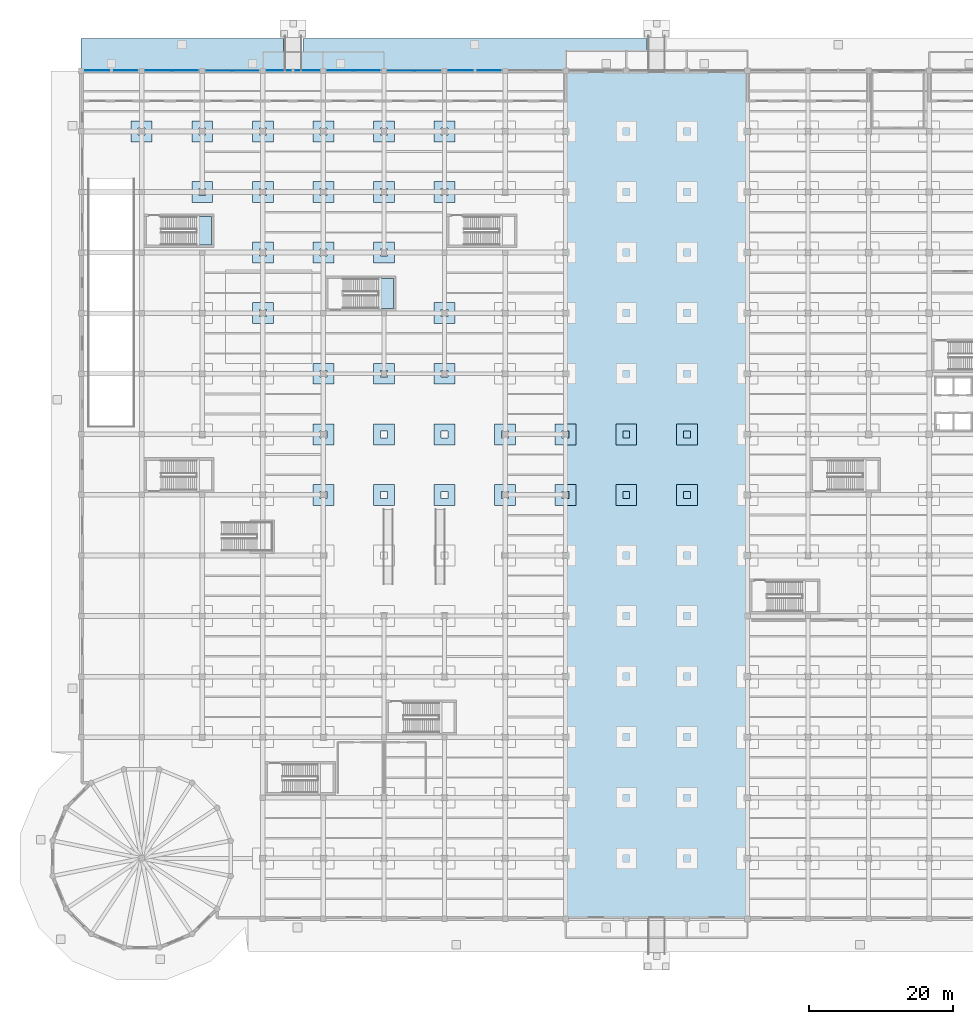
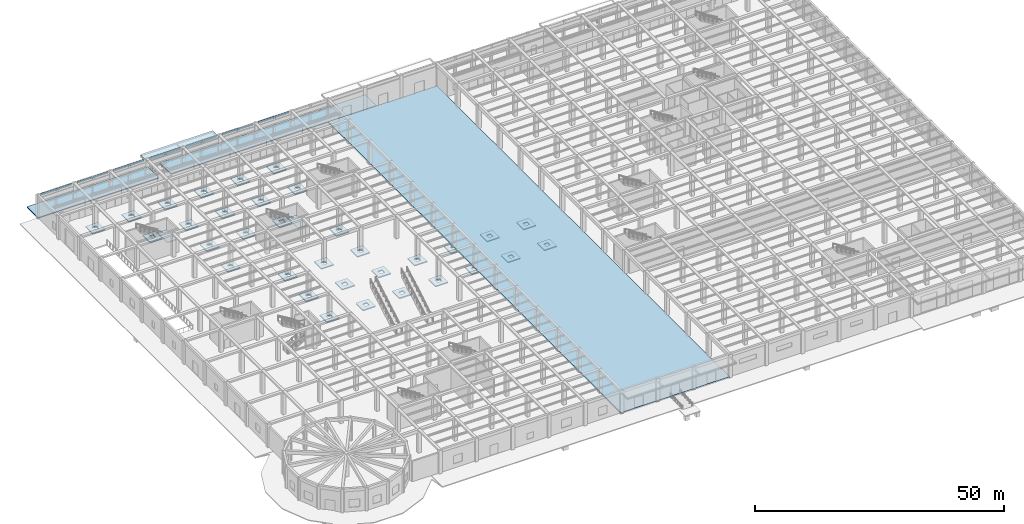
# One storey, part 18 of 43: 39 slabs, 7 plates, 3 elements without a shape of their own.
"""IFC4 building model written with IfcOpenShell, lengths in metres."""

from ifc_helpers import new_model, si_unit, direction, frame, origin, origin_2d, place, context, subcontext, project, spatial, polyline, rectangle, outline, extrude, material, layer, layer_set, type_object, element, aggregate, save


model = new_model("IFC4")

# Units and contexts
model_context = context("Model", 3, precision=1e-05, world=origin(), true_north=direction((0.0, 1.0)))
body_context = subcontext(model_context, "Body", "Model", "MODEL_VIEW")
ifc_project = project(units=[si_unit("LENGTHUNIT", "METRE"), si_unit("AREAUNIT", "SQUARE_METRE"), si_unit("VOLUMEUNIT", "CUBIC_METRE"), si_unit("PLANEANGLEUNIT", "RADIAN"), si_unit("MASSUNIT", "GRAM", prefix="KILO")], contexts=[model_context])

# Site, building, storey
site_placement = place(None, origin())
site = spatial("IfcSite", under=ifc_project, at=site_placement, CompositionType="ELEMENT")
building_placement = place(site_placement, origin())
building = spatial("IfcBuilding", under=site, at=building_placement, Name="Almacenes y Pasaje Nevantli", CompositionType="ELEMENT")
storey_placement = place(building_placement, origin())
storey = spatial("IfcBuildingStorey", under=building, at=storey_placement, Name="L01", CompositionType="ELEMENT", Elevation=0.0)

# Plates
ifc_material_1 = material(Name="Powder-Coated Aluminium Portal Fascia Plate", Category="aluminium")
ifc_layer_1 = layer(ifc_material_1, 0.01611328125)
ifc_layer_set_1 = layer_set([ifc_layer_1], Name="Powder-Coated Aluminium Portal Fascia Plate")
plate_type_1 = type_object("IfcPlateType", Name="PL-FAS-16", PredefinedType="SHEET", material=ifc_layer_set_1)
for number, where, z_axis, x_axis, name in (
    (1, (12.60009765625, 117.639892578125, 5.1748046875), (0.0, 0.0, 1.0), (1.0, 0.0, 0.0), "Boulevard Portales Architectural Frieze Plate #2"),
    (2, (37.800048828125, 117.639892578125, 5.1748046875), (0.0, 0.0, 1.0), (1.0, 0.0, 0.0), "Boulevard Portales Architectural Frieze Plate #5"),
):
    element("IfcPlate", number, at=place(storey_placement, frame(where, z_axis=z_axis, x_axis=x_axis)), inside=storey, type_object=plate_type_1, Name=name, PredefinedType="SHEET", context=body_context, shape_type="SweptSolid", body=[
        extrude(rectangle(XDim=7.199951171875, YDim=0.01611328125, at=origin_2d()), origin(), (0.0, 0.0, 1.0), 0.550048828125),
    ])
ifc_material_2 = material(Name="Brushed Brass Architectural Frieze Plate", Category="metal")
ifc_layer_2 = layer(ifc_material_2, 0.008056640625)
ifc_layer_set_2 = layer_set([ifc_layer_2], Name="Brushed Brass Architectural Frieze Plate")
plate_type_2 = type_object("IfcPlateType", Name="PL-SGN-08", PredefinedType="SHEET", material=ifc_layer_set_2)
for number, where, z_axis, x_axis, name in (
    (3, (21.0, 117.639892578125, 5.1748046875), (0.0, 0.0, 1.0), (1.0, 0.0, 0.0), "Boulevard Portales Architectural Frieze Plate #3"),
    (4, (46.199951171875, 117.639892578125, 5.1748046875), (0.0, 0.0, 1.0), (1.0, 0.0, 0.0), "Boulevard Portales Architectural Frieze Plate #6"),
):
    element("IfcPlate", number, at=place(storey_placement, frame(where, z_axis=z_axis, x_axis=x_axis)), inside=storey, type_object=plate_type_2, Name=name, PredefinedType="SHEET", context=body_context, shape_type="SweptSolid", body=[
        extrude(rectangle(XDim=7.199951171875, YDim=0.008056640625, at=origin_2d()), origin(), (0.0, 0.0, 1.0), 0.550048828125),
    ])
ifc_material_3 = material(Name="Insulated Bronze Aluminium Spandrel Panel", Category="aluminium")
ifc_layer_3 = layer(ifc_material_3, 0.054931640625)
ifc_layer_set_3 = layer_set([ifc_layer_3], Name="Insulated Bronze Aluminium Spandrel Panel")
plate_type_3 = type_object("IfcPlateType", Name="PL-SPN-55", PredefinedType="SHEET", material=ifc_layer_set_3)
for number, where, z_axis, x_axis, name in (
    (5, (4.199951171875, 117.639892578125, 5.1748046875), (0.0, 0.0, 1.0), (1.0, 0.0, 0.0), "Boulevard Portales Architectural Frieze Plate #1"),
    (6, (29.39990234375, 117.639892578125, 5.1748046875), (0.0, 0.0, 1.0), (1.0, 0.0, 0.0), "Boulevard Portales Architectural Frieze Plate #4"),
    (7, (54.60009765625, 117.639892578125, 5.1748046875), (0.0, 0.0, 1.0), (1.0, 0.0, 0.0), "Boulevard Portales Architectural Frieze Plate #7"),
):
    element("IfcPlate", number, at=place(storey_placement, frame(where, z_axis=z_axis, x_axis=x_axis)), inside=storey, type_object=plate_type_3, Name=name, PredefinedType="SHEET", context=body_context, shape_type="SweptSolid", body=[
        extrude(rectangle(XDim=7.199951171875, YDim=0.054931640625, at=origin_2d()), origin(), (0.0, 0.0, 1.0), 0.550048828125),
    ])

# Roof, slab
ifc_material_4 = material(Name="Concrete C35/45", Category="concrete")
roof_type = type_object("IfcRoofType", Name="ROOF-FLAT-DECK", PredefinedType="FLAT_ROOF", material=ifc_material_4)
roof_placement = place(storey_placement, origin())
roof = element("IfcRoof", 8, at=roof_placement, inside=storey, type_object=roof_type, Name="L01 Boulevard and Dock Canopy Roof cnp-north-west", PredefinedType="FLAT_ROOF")
ifc_material_5 = material(Name="Architectural Precast Concrete C35/45", Category="concrete")
ifc_layer_4 = layer(ifc_material_5, 0.139892578125)
ifc_layer_set_4 = layer_set([ifc_layer_4], Name="Architectural Precast Concrete C35/45")
slab_type_1 = type_object("IfcSlabType", Name="SLB-CANOPY-140", PredefinedType="ROOF", material=ifc_layer_set_4)
slab_1_placement = place(storey_placement, frame((0.0, 0.0, 4.9599609375)))
slab_1 = element("IfcSlab", 9, at=slab_1_placement, type_object=slab_type_1, Name="Architectural Precast Canopy Deck cnp-north-west", PredefinedType="ROOF", context=body_context, shape_type="SweptSolid", body=[
    extrude(outline(polyline([(25.199951171875, 117.60009765625), (42.0, 117.60009765625), (42.0, 120.199951171875), (25.199951171875, 120.199951171875), (25.199951171875, 117.60009765625)])), origin(), (0.0, 0.0, 1.0), 0.14013671875),
])
aggregate(roof, [slab_1])

# Slabs
ifc_material_6 = material(Name="Concrete C35/45", Category="concrete")
ifc_layer_5 = layer(ifc_material_6, 0.25)
ifc_layer_set_5 = layer_set([ifc_layer_5], Name="Concrete C35/45")
slab_type_2 = type_object("IfcSlabType", Name="SLB-DP-250", PredefinedType="USERDEFINED", material=ifc_layer_set_5)
slab_2_placement = place(storey_placement, frame((0.0, 0.0, -0.570068359375)))
element("IfcSlab", 10, at=slab_2_placement, inside=storey, type_object=slab_type_2, Name="L01 Punching-Shear Drop Panel DP-02 #201", ObjectType="DROP PANEL", PredefinedType="USERDEFINED", context=body_context, shape_type="SweptSolid", body=[
    extrude(outline(polyline([(6.949951171875, 107.75), (9.85009765625, 107.75), (9.85009765625, 110.64990234375), (6.949951171875, 110.64990234375), (6.949951171875, 107.75)]), holes=[polyline([(7.919921875, 108.719970703125), (8.8798828125, 108.719970703125), (8.8798828125, 109.679931640625), (7.919921875, 109.679931640625), (7.919921875, 108.719970703125)])]), origin(), (0.0, 0.0, 1.0), 0.25),
])
slab_3_placement = place(storey_placement, frame((0.0, 0.0, -0.570068359375)))
element("IfcSlab", 11, at=slab_3_placement, inside=storey, type_object=slab_type_2, Name="L01 Punching-Shear Drop Panel DP-02 #208", ObjectType="DROP PANEL", PredefinedType="USERDEFINED", context=body_context, shape_type="SweptSolid", body=[
    extrude(outline(polyline([(15.35009765625, 99.35009765625), (18.25, 99.35009765625), (18.25, 102.25), (15.35009765625, 102.25), (15.35009765625, 99.35009765625)]), holes=[polyline([(16.320068359375, 100.320068359375), (17.280029296875, 100.320068359375), (17.280029296875, 101.280029296875), (16.320068359375, 101.280029296875), (16.320068359375, 100.320068359375)])]), origin(), (0.0, 0.0, 1.0), 0.25),
])
slab_4_placement = place(storey_placement, frame((0.0, 0.0, -0.570068359375)))
element("IfcSlab", 12, at=slab_4_placement, inside=storey, type_object=slab_type_2, Name="L01 Punching-Shear Drop Panel DP-02 #209", ObjectType="DROP PANEL", PredefinedType="USERDEFINED", context=body_context, shape_type="SweptSolid", body=[
    extrude(outline(polyline([(15.35009765625, 107.75), (18.25, 107.75), (18.25, 110.64990234375), (15.35009765625, 110.64990234375), (15.35009765625, 107.75)]), holes=[polyline([(16.320068359375, 108.719970703125), (17.280029296875, 108.719970703125), (17.280029296875, 109.679931640625), (16.320068359375, 109.679931640625), (16.320068359375, 108.719970703125)])]), origin(), (0.0, 0.0, 1.0), 0.25),
])
slab_5_placement = place(storey_placement, frame((0.0, 0.0, -0.570068359375)))
element("IfcSlab", 13, at=slab_5_placement, inside=storey, type_object=slab_type_2, Name="L01 Punching-Shear Drop Panel DP-02 #217", ObjectType="DROP PANEL", PredefinedType="USERDEFINED", context=body_context, shape_type="SweptSolid", body=[
    extrude(outline(polyline([(23.75, 82.550048828125), (26.64990234375, 82.550048828125), (26.64990234375, 85.449951171875), (23.75, 85.449951171875), (23.75, 82.550048828125)]), holes=[polyline([(24.719970703125, 83.52001953125), (25.679931640625, 83.52001953125), (25.679931640625, 84.47998046875), (24.719970703125, 84.47998046875), (24.719970703125, 83.52001953125)])]), origin(), (0.0, 0.0, 1.0), 0.25),
])
slab_6_placement = place(storey_placement, frame((0.0, 0.0, -0.570068359375)))
element("IfcSlab", 14, at=slab_6_placement, inside=storey, type_object=slab_type_2, Name="L01 Punching-Shear Drop Panel DP-02 #218", ObjectType="DROP PANEL", PredefinedType="USERDEFINED", context=body_context, shape_type="SweptSolid", body=[
    extrude(outline(polyline([(23.75, 90.949951171875), (26.64990234375, 90.949951171875), (26.64990234375, 93.85009765625), (23.75, 93.85009765625), (23.75, 90.949951171875)]), holes=[polyline([(24.719970703125, 91.919921875), (25.679931640625, 91.919921875), (25.679931640625, 92.8798828125), (24.719970703125, 92.8798828125), (24.719970703125, 91.919921875)])]), origin(), (0.0, 0.0, 1.0), 0.25),
])
slab_7_placement = place(storey_placement, frame((0.0, 0.0, -0.570068359375)))
element("IfcSlab", 15, at=slab_7_placement, inside=storey, type_object=slab_type_2, Name="L01 Punching-Shear Drop Panel DP-02 #219", ObjectType="DROP PANEL", PredefinedType="USERDEFINED", context=body_context, shape_type="SweptSolid", body=[
    extrude(outline(polyline([(23.75, 99.35009765625), (26.64990234375, 99.35009765625), (26.64990234375, 102.25), (23.75, 102.25), (23.75, 99.35009765625)]), holes=[polyline([(24.719970703125, 100.320068359375), (25.679931640625, 100.320068359375), (25.679931640625, 101.280029296875), (24.719970703125, 101.280029296875), (24.719970703125, 100.320068359375)])]), origin(), (0.0, 0.0, 1.0), 0.25),
])
slab_8_placement = place(storey_placement, frame((0.0, 0.0, -0.570068359375)))
element("IfcSlab", 16, at=slab_8_placement, inside=storey, type_object=slab_type_2, Name="L01 Punching-Shear Drop Panel DP-02 #220", ObjectType="DROP PANEL", PredefinedType="USERDEFINED", context=body_context, shape_type="SweptSolid", body=[
    extrude(outline(polyline([(23.75, 107.75), (26.64990234375, 107.75), (26.64990234375, 110.64990234375), (23.75, 110.64990234375), (23.75, 107.75)]), holes=[polyline([(24.719970703125, 108.719970703125), (25.679931640625, 108.719970703125), (25.679931640625, 109.679931640625), (24.719970703125, 109.679931640625), (24.719970703125, 108.719970703125)])]), origin(), (0.0, 0.0, 1.0), 0.25),
])
slab_9_placement = place(storey_placement, frame((0.0, 0.0, -0.570068359375)))
element("IfcSlab", 17, at=slab_9_placement, inside=storey, type_object=slab_type_2, Name="L01 Punching-Shear Drop Panel DP-02 #226", ObjectType="DROP PANEL", PredefinedType="USERDEFINED", context=body_context, shape_type="SweptSolid", body=[
    extrude(outline(polyline([(32.14990234375, 57.35009765625), (35.050048828125, 57.35009765625), (35.050048828125, 60.25), (32.14990234375, 60.25), (32.14990234375, 57.35009765625)]), holes=[polyline([(33.1201171875, 58.320068359375), (34.080078125, 58.320068359375), (34.080078125, 59.280029296875), (33.1201171875, 59.280029296875), (33.1201171875, 58.320068359375)])]), origin(), (0.0, 0.0, 1.0), 0.25),
])
slab_10_placement = place(storey_placement, frame((0.0, 0.0, -0.570068359375)))
element("IfcSlab", 18, at=slab_10_placement, inside=storey, type_object=slab_type_2, Name="L01 Punching-Shear Drop Panel DP-02 #227", ObjectType="DROP PANEL", PredefinedType="USERDEFINED", context=body_context, shape_type="SweptSolid", body=[
    extrude(outline(polyline([(32.14990234375, 65.75), (35.050048828125, 65.75), (35.050048828125, 68.64990234375), (32.14990234375, 68.64990234375), (32.14990234375, 65.75)]), holes=[polyline([(33.1201171875, 66.719970703125), (34.080078125, 66.719970703125), (34.080078125, 67.679931640625), (33.1201171875, 67.679931640625), (33.1201171875, 66.719970703125)])]), origin(), (0.0, 0.0, 1.0), 0.25),
])
slab_11_placement = place(storey_placement, frame((0.0, 0.0, -0.570068359375)))
element("IfcSlab", 19, at=slab_11_placement, inside=storey, type_object=slab_type_2, Name="L01 Punching-Shear Drop Panel DP-02 #228", ObjectType="DROP PANEL", PredefinedType="USERDEFINED", context=body_context, shape_type="SweptSolid", body=[
    extrude(outline(polyline([(32.14990234375, 74.14990234375), (35.050048828125, 74.14990234375), (35.050048828125, 77.050048828125), (32.14990234375, 77.050048828125), (32.14990234375, 74.14990234375)]), holes=[polyline([(33.1201171875, 75.1201171875), (34.080078125, 75.1201171875), (34.080078125, 76.080078125), (33.1201171875, 76.080078125), (33.1201171875, 75.1201171875)])]), origin(), (0.0, 0.0, 1.0), 0.25),
])
slab_12_placement = place(storey_placement, frame((0.0, 0.0, -0.570068359375)))
element("IfcSlab", 20, at=slab_12_placement, inside=storey, type_object=slab_type_2, Name="L01 Punching-Shear Drop Panel DP-02 #229", ObjectType="DROP PANEL", PredefinedType="USERDEFINED", context=body_context, shape_type="SweptSolid", body=[
    extrude(outline(polyline([(32.14990234375, 90.949951171875), (35.050048828125, 90.949951171875), (35.050048828125, 93.85009765625), (32.14990234375, 93.85009765625), (32.14990234375, 90.949951171875)]), holes=[polyline([(33.1201171875, 91.919921875), (34.080078125, 91.919921875), (34.080078125, 92.8798828125), (33.1201171875, 92.8798828125), (33.1201171875, 91.919921875)])]), origin(), (0.0, 0.0, 1.0), 0.25),
])
slab_13_placement = place(storey_placement, frame((0.0, 0.0, -0.570068359375)))
element("IfcSlab", 21, at=slab_13_placement, inside=storey, type_object=slab_type_2, Name="L01 Punching-Shear Drop Panel DP-02 #230", ObjectType="DROP PANEL", PredefinedType="USERDEFINED", context=body_context, shape_type="SweptSolid", body=[
    extrude(outline(polyline([(32.14990234375, 99.35009765625), (35.050048828125, 99.35009765625), (35.050048828125, 102.25), (32.14990234375, 102.25), (32.14990234375, 99.35009765625)]), holes=[polyline([(33.1201171875, 100.320068359375), (34.080078125, 100.320068359375), (34.080078125, 101.280029296875), (33.1201171875, 101.280029296875), (33.1201171875, 100.320068359375)])]), origin(), (0.0, 0.0, 1.0), 0.25),
])
slab_14_placement = place(storey_placement, frame((0.0, 0.0, -0.570068359375)))
element("IfcSlab", 22, at=slab_14_placement, inside=storey, type_object=slab_type_2, Name="L01 Punching-Shear Drop Panel DP-02 #231", ObjectType="DROP PANEL", PredefinedType="USERDEFINED", context=body_context, shape_type="SweptSolid", body=[
    extrude(outline(polyline([(32.14990234375, 107.75), (35.050048828125, 107.75), (35.050048828125, 110.64990234375), (32.14990234375, 110.64990234375), (32.14990234375, 107.75)]), holes=[polyline([(33.1201171875, 108.719970703125), (34.080078125, 108.719970703125), (34.080078125, 109.679931640625), (33.1201171875, 109.679931640625), (33.1201171875, 108.719970703125)])]), origin(), (0.0, 0.0, 1.0), 0.25),
])
slab_15_placement = place(storey_placement, frame((0.0, 0.0, -0.570068359375)))
element("IfcSlab", 23, at=slab_15_placement, inside=storey, type_object=slab_type_2, Name="L01 Punching-Shear Drop Panel DP-02 #237", ObjectType="DROP PANEL", PredefinedType="USERDEFINED", context=body_context, shape_type="SweptSolid", body=[
    extrude(outline(polyline([(40.550048828125, 57.35009765625), (43.449951171875, 57.35009765625), (43.449951171875, 60.25), (40.550048828125, 60.25), (40.550048828125, 57.35009765625)]), holes=[polyline([(41.52001953125, 58.320068359375), (42.47998046875, 58.320068359375), (42.47998046875, 59.280029296875), (41.52001953125, 59.280029296875), (41.52001953125, 58.320068359375)])]), origin(), (0.0, 0.0, 1.0), 0.25),
])
slab_16_placement = place(storey_placement, frame((0.0, 0.0, -0.570068359375)))
element("IfcSlab", 24, at=slab_16_placement, inside=storey, type_object=slab_type_2, Name="L01 Punching-Shear Drop Panel DP-02 #238", ObjectType="DROP PANEL", PredefinedType="USERDEFINED", context=body_context, shape_type="SweptSolid", body=[
    extrude(outline(polyline([(40.550048828125, 65.75), (43.449951171875, 65.75), (43.449951171875, 68.64990234375), (40.550048828125, 68.64990234375), (40.550048828125, 65.75)]), holes=[polyline([(41.52001953125, 66.719970703125), (42.47998046875, 66.719970703125), (42.47998046875, 67.679931640625), (41.52001953125, 67.679931640625), (41.52001953125, 66.719970703125)])]), origin(), (0.0, 0.0, 1.0), 0.25),
])
slab_17_placement = place(storey_placement, frame((0.0, 0.0, -0.570068359375)))
element("IfcSlab", 25, at=slab_17_placement, inside=storey, type_object=slab_type_2, Name="L01 Punching-Shear Drop Panel DP-02 #239", ObjectType="DROP PANEL", PredefinedType="USERDEFINED", context=body_context, shape_type="SweptSolid", body=[
    extrude(outline(polyline([(40.550048828125, 74.14990234375), (43.449951171875, 74.14990234375), (43.449951171875, 77.050048828125), (40.550048828125, 77.050048828125), (40.550048828125, 74.14990234375)]), holes=[polyline([(41.52001953125, 75.1201171875), (42.47998046875, 75.1201171875), (42.47998046875, 76.080078125), (41.52001953125, 76.080078125), (41.52001953125, 75.1201171875)])]), origin(), (0.0, 0.0, 1.0), 0.25),
])
slab_18_placement = place(storey_placement, frame((0.0, 0.0, -0.570068359375)))
element("IfcSlab", 26, at=slab_18_placement, inside=storey, type_object=slab_type_2, Name="L01 Punching-Shear Drop Panel DP-02 #240", ObjectType="DROP PANEL", PredefinedType="USERDEFINED", context=body_context, shape_type="SweptSolid", body=[
    extrude(outline(polyline([(40.550048828125, 90.949951171875), (43.449951171875, 90.949951171875), (43.449951171875, 93.85009765625), (40.550048828125, 93.85009765625), (40.550048828125, 90.949951171875)]), holes=[polyline([(41.52001953125, 91.919921875), (42.47998046875, 91.919921875), (42.47998046875, 92.8798828125), (41.52001953125, 92.8798828125), (41.52001953125, 91.919921875)])]), origin(), (0.0, 0.0, 1.0), 0.25),
])
slab_19_placement = place(storey_placement, frame((0.0, 0.0, -0.570068359375)))
element("IfcSlab", 27, at=slab_19_placement, inside=storey, type_object=slab_type_2, Name="L01 Punching-Shear Drop Panel DP-02 #241", ObjectType="DROP PANEL", PredefinedType="USERDEFINED", context=body_context, shape_type="SweptSolid", body=[
    extrude(outline(polyline([(40.550048828125, 99.35009765625), (43.449951171875, 99.35009765625), (43.449951171875, 102.25), (40.550048828125, 102.25), (40.550048828125, 99.35009765625)]), holes=[polyline([(41.52001953125, 100.320068359375), (42.47998046875, 100.320068359375), (42.47998046875, 101.280029296875), (41.52001953125, 101.280029296875), (41.52001953125, 100.320068359375)])]), origin(), (0.0, 0.0, 1.0), 0.25),
])
slab_20_placement = place(storey_placement, frame((0.0, 0.0, -0.570068359375)))
element("IfcSlab", 28, at=slab_20_placement, inside=storey, type_object=slab_type_2, Name="L01 Punching-Shear Drop Panel DP-02 #242", ObjectType="DROP PANEL", PredefinedType="USERDEFINED", context=body_context, shape_type="SweptSolid", body=[
    extrude(outline(polyline([(40.550048828125, 107.75), (43.449951171875, 107.75), (43.449951171875, 110.64990234375), (40.550048828125, 110.64990234375), (40.550048828125, 107.75)]), holes=[polyline([(41.52001953125, 108.719970703125), (42.47998046875, 108.719970703125), (42.47998046875, 109.679931640625), (41.52001953125, 109.679931640625), (41.52001953125, 108.719970703125)])]), origin(), (0.0, 0.0, 1.0), 0.25),
])
slab_21_placement = place(storey_placement, frame((0.0, 0.0, -0.570068359375)))
element("IfcSlab", 29, at=slab_21_placement, inside=storey, type_object=slab_type_2, Name="L01 Punching-Shear Drop Panel DP-02 #248", ObjectType="DROP PANEL", PredefinedType="USERDEFINED", context=body_context, shape_type="SweptSolid", body=[
    extrude(outline(polyline([(48.949951171875, 57.35009765625), (51.85009765625, 57.35009765625), (51.85009765625, 60.25), (48.949951171875, 60.25), (48.949951171875, 57.35009765625)]), holes=[polyline([(49.919921875, 58.320068359375), (50.8798828125, 58.320068359375), (50.8798828125, 59.280029296875), (49.919921875, 59.280029296875), (49.919921875, 58.320068359375)])]), origin(), (0.0, 0.0, 1.0), 0.25),
])
slab_22_placement = place(storey_placement, frame((0.0, 0.0, -0.570068359375)))
element("IfcSlab", 30, at=slab_22_placement, inside=storey, type_object=slab_type_2, Name="L01 Punching-Shear Drop Panel DP-02 #249", ObjectType="DROP PANEL", PredefinedType="USERDEFINED", context=body_context, shape_type="SweptSolid", body=[
    extrude(outline(polyline([(48.949951171875, 65.75), (51.85009765625, 65.75), (51.85009765625, 68.64990234375), (48.949951171875, 68.64990234375), (48.949951171875, 65.75)]), holes=[polyline([(49.919921875, 66.719970703125), (50.8798828125, 66.719970703125), (50.8798828125, 67.679931640625), (49.919921875, 67.679931640625), (49.919921875, 66.719970703125)])]), origin(), (0.0, 0.0, 1.0), 0.25),
])
slab_23_placement = place(storey_placement, frame((0.0, 0.0, -0.570068359375)))
element("IfcSlab", 31, at=slab_23_placement, inside=storey, type_object=slab_type_2, Name="L01 Punching-Shear Drop Panel DP-02 #250", ObjectType="DROP PANEL", PredefinedType="USERDEFINED", context=body_context, shape_type="SweptSolid", body=[
    extrude(outline(polyline([(48.949951171875, 74.14990234375), (51.85009765625, 74.14990234375), (51.85009765625, 77.050048828125), (48.949951171875, 77.050048828125), (48.949951171875, 74.14990234375)]), holes=[polyline([(49.919921875, 75.1201171875), (50.8798828125, 75.1201171875), (50.8798828125, 76.080078125), (49.919921875, 76.080078125), (49.919921875, 75.1201171875)])]), origin(), (0.0, 0.0, 1.0), 0.25),
])
slab_24_placement = place(storey_placement, frame((0.0, 0.0, -0.570068359375)))
element("IfcSlab", 32, at=slab_24_placement, inside=storey, type_object=slab_type_2, Name="L01 Punching-Shear Drop Panel DP-02 #251", ObjectType="DROP PANEL", PredefinedType="USERDEFINED", context=body_context, shape_type="SweptSolid", body=[
    extrude(outline(polyline([(48.949951171875, 82.550048828125), (51.85009765625, 82.550048828125), (51.85009765625, 85.449951171875), (48.949951171875, 85.449951171875), (48.949951171875, 82.550048828125)]), holes=[polyline([(49.919921875, 83.52001953125), (50.8798828125, 83.52001953125), (50.8798828125, 84.47998046875), (49.919921875, 84.47998046875), (49.919921875, 83.52001953125)])]), origin(), (0.0, 0.0, 1.0), 0.25),
])
slab_25_placement = place(storey_placement, frame((0.0, 0.0, -0.570068359375)))
element("IfcSlab", 33, at=slab_25_placement, inside=storey, type_object=slab_type_2, Name="L01 Punching-Shear Drop Panel DP-02 #252", ObjectType="DROP PANEL", PredefinedType="USERDEFINED", context=body_context, shape_type="SweptSolid", body=[
    extrude(outline(polyline([(48.949951171875, 99.35009765625), (51.85009765625, 99.35009765625), (51.85009765625, 102.25), (48.949951171875, 102.25), (48.949951171875, 99.35009765625)]), holes=[polyline([(49.919921875, 100.320068359375), (50.8798828125, 100.320068359375), (50.8798828125, 101.280029296875), (49.919921875, 101.280029296875), (49.919921875, 100.320068359375)])]), origin(), (0.0, 0.0, 1.0), 0.25),
])
slab_26_placement = place(storey_placement, frame((0.0, 0.0, -0.570068359375)))
element("IfcSlab", 34, at=slab_26_placement, inside=storey, type_object=slab_type_2, Name="L01 Punching-Shear Drop Panel DP-02 #253", ObjectType="DROP PANEL", PredefinedType="USERDEFINED", context=body_context, shape_type="SweptSolid", body=[
    extrude(outline(polyline([(48.949951171875, 107.75), (51.85009765625, 107.75), (51.85009765625, 110.64990234375), (48.949951171875, 110.64990234375), (48.949951171875, 107.75)]), holes=[polyline([(49.919921875, 108.719970703125), (50.8798828125, 108.719970703125), (50.8798828125, 109.679931640625), (49.919921875, 109.679931640625), (49.919921875, 108.719970703125)])]), origin(), (0.0, 0.0, 1.0), 0.25),
])
slab_27_placement = place(storey_placement, frame((0.0, 0.0, -0.570068359375)))
element("IfcSlab", 35, at=slab_27_placement, inside=storey, type_object=slab_type_2, Name="L01 Punching-Shear Drop Panel DP-02 #260", ObjectType="DROP PANEL", PredefinedType="USERDEFINED", context=body_context, shape_type="SweptSolid", body=[
    extrude(outline(polyline([(57.35009765625, 57.35009765625), (60.25, 57.35009765625), (60.25, 60.25), (57.35009765625, 60.25), (57.35009765625, 57.35009765625)]), holes=[polyline([(58.320068359375, 58.320068359375), (59.280029296875, 58.320068359375), (59.280029296875, 59.280029296875), (58.320068359375, 59.280029296875), (58.320068359375, 58.320068359375)])]), origin(), (0.0, 0.0, 1.0), 0.25),
])
slab_28_placement = place(storey_placement, frame((0.0, 0.0, -0.570068359375)))
element("IfcSlab", 36, at=slab_28_placement, inside=storey, type_object=slab_type_2, Name="L01 Punching-Shear Drop Panel DP-02 #261", ObjectType="DROP PANEL", PredefinedType="USERDEFINED", context=body_context, shape_type="SweptSolid", body=[
    extrude(outline(polyline([(57.35009765625, 65.75), (60.25, 65.75), (60.25, 68.64990234375), (57.35009765625, 68.64990234375), (57.35009765625, 65.75)]), holes=[polyline([(58.320068359375, 66.719970703125), (59.280029296875, 66.719970703125), (59.280029296875, 67.679931640625), (58.320068359375, 67.679931640625), (58.320068359375, 66.719970703125)])]), origin(), (0.0, 0.0, 1.0), 0.25),
])
slab_29_placement = place(storey_placement, frame((0.0, 0.0, -0.570068359375)))
element("IfcSlab", 37, at=slab_29_placement, inside=storey, type_object=slab_type_2, Name="L01 Punching-Shear Drop Panel DP-02 #272", ObjectType="DROP PANEL", PredefinedType="USERDEFINED", context=body_context, shape_type="SweptSolid", body=[
    extrude(outline(polyline([(65.75, 57.35009765625), (68.64990234375, 57.35009765625), (68.64990234375, 60.25), (65.75, 60.25), (65.75, 57.35009765625)]), holes=[polyline([(66.719970703125, 58.320068359375), (67.679931640625, 58.320068359375), (67.679931640625, 59.280029296875), (66.719970703125, 59.280029296875), (66.719970703125, 58.320068359375)])]), origin(), (0.0, 0.0, 1.0), 0.25),
])
slab_30_placement = place(storey_placement, frame((0.0, 0.0, -0.570068359375)))
element("IfcSlab", 38, at=slab_30_placement, inside=storey, type_object=slab_type_2, Name="L01 Punching-Shear Drop Panel DP-02 #273", ObjectType="DROP PANEL", PredefinedType="USERDEFINED", context=body_context, shape_type="SweptSolid", body=[
    extrude(outline(polyline([(65.75, 65.75), (68.64990234375, 65.75), (68.64990234375, 68.64990234375), (65.75, 68.64990234375), (65.75, 65.75)]), holes=[polyline([(66.719970703125, 66.719970703125), (67.679931640625, 66.719970703125), (67.679931640625, 67.679931640625), (66.719970703125, 67.679931640625), (66.719970703125, 66.719970703125)])]), origin(), (0.0, 0.0, 1.0), 0.25),
])
slab_31_placement = place(storey_placement, frame((0.0, 0.0, -0.570068359375)))
element("IfcSlab", 39, at=slab_31_placement, inside=storey, type_object=slab_type_2, Name="L01 Punching-Shear Drop Panel DP-02 #285", ObjectType="DROP PANEL", PredefinedType="USERDEFINED", context=body_context, shape_type="SweptSolid", body=[
    extrude(outline(polyline([(74.14990234375, 57.35009765625), (77.050048828125, 57.35009765625), (77.050048828125, 60.25), (74.14990234375, 60.25), (74.14990234375, 57.35009765625)]), holes=[polyline([(75.1201171875, 58.320068359375), (76.080078125, 58.320068359375), (76.080078125, 59.280029296875), (75.1201171875, 59.280029296875), (75.1201171875, 58.320068359375)])]), origin(), (0.0, 0.0, 1.0), 0.25),
])
slab_32_placement = place(storey_placement, frame((0.0, 0.0, -0.570068359375)))
element("IfcSlab", 40, at=slab_32_placement, inside=storey, type_object=slab_type_2, Name="L01 Punching-Shear Drop Panel DP-02 #286", ObjectType="DROP PANEL", PredefinedType="USERDEFINED", context=body_context, shape_type="SweptSolid", body=[
    extrude(outline(polyline([(74.14990234375, 65.75), (77.050048828125, 65.75), (77.050048828125, 68.64990234375), (74.14990234375, 68.64990234375), (74.14990234375, 65.75)]), holes=[polyline([(75.1201171875, 66.719970703125), (76.080078125, 66.719970703125), (76.080078125, 67.679931640625), (75.1201171875, 67.679931640625), (75.1201171875, 66.719970703125)])]), origin(), (0.0, 0.0, 1.0), 0.25),
])
slab_33_placement = place(storey_placement, frame((0.0, 0.0, -0.570068359375)))
element("IfcSlab", 41, at=slab_33_placement, inside=storey, type_object=slab_type_2, Name="L01 Punching-Shear Drop Panel DP-02 #298", ObjectType="DROP PANEL", PredefinedType="USERDEFINED", context=body_context, shape_type="SweptSolid", body=[
    extrude(outline(polyline([(82.550048828125, 57.35009765625), (85.449951171875, 57.35009765625), (85.449951171875, 60.25), (82.550048828125, 60.25), (82.550048828125, 57.35009765625)]), holes=[polyline([(83.52001953125, 58.320068359375), (84.47998046875, 58.320068359375), (84.47998046875, 59.280029296875), (83.52001953125, 59.280029296875), (83.52001953125, 58.320068359375)])]), origin(), (0.0, 0.0, 1.0), 0.25),
])
slab_34_placement = place(storey_placement, frame((0.0, 0.0, -0.570068359375)))
element("IfcSlab", 42, at=slab_34_placement, inside=storey, type_object=slab_type_2, Name="L01 Punching-Shear Drop Panel DP-02 #299", ObjectType="DROP PANEL", PredefinedType="USERDEFINED", context=body_context, shape_type="SweptSolid", body=[
    extrude(outline(polyline([(82.550048828125, 65.75), (85.449951171875, 65.75), (85.449951171875, 68.64990234375), (82.550048828125, 68.64990234375), (82.550048828125, 65.75)]), holes=[polyline([(83.52001953125, 66.719970703125), (84.47998046875, 66.719970703125), (84.47998046875, 67.679931640625), (83.52001953125, 67.679931640625), (83.52001953125, 66.719970703125)])]), origin(), (0.0, 0.0, 1.0), 0.25),
])
ifc_material_7 = material(Name="Concrete C35/45", Category="concrete")
ifc_layer_6 = layer(ifc_material_7, 0.320068359375)
ifc_layer_set_6 = layer_set([ifc_layer_6], Name="Concrete C35/45")
slab_type_3 = type_object("IfcSlabType", Name="SLB-FLR-320", PredefinedType="FLOOR", material=ifc_layer_set_6)
slab_35_placement = place(storey_placement, frame((0.0, 0.0, -0.320068359375)))
element("IfcSlab", 43, at=slab_35_placement, inside=storey, type_object=slab_type_3, Name="L01 Central Arcade Concourse Slab", PredefinedType="FLOOR", context=body_context, shape_type="SweptSolid", body=[
    extrude(outline(polyline([(67.199951171875, 0.0), (92.39990234375, 0.0), (92.39990234375, 117.60009765625), (67.199951171875, 117.60009765625), (67.199951171875, 0.0)])), origin(), (0.0, 0.0, 1.0), 0.320068359375),
])

# Stair, slab
ifc_material_8 = material(Name="Concrete C35/45", Category="concrete")
stair_type_1 = type_object("IfcStairType", Name="STR-CORE-1750", PredefinedType="HALF_TURN_STAIR", material=ifc_material_8)
stair_1_placement = place(storey_placement, origin())
stair_1 = element("IfcStair", 44, at=stair_1_placement, inside=storey, type_object=stair_type_1, Name="L01 Staircase ST-03", PredefinedType="HALF_TURN_STAIR")
ifc_material_9 = material(Name="Concrete C35/45", Category="concrete")
ifc_layer_7 = layer(ifc_material_9, 0.199951171875)
ifc_layer_set_7 = layer_set([ifc_layer_7], Name="Concrete C35/45")
slab_type_4 = type_object("IfcSlabType", Name="SLB-LAND-200", PredefinedType="LANDING", material=ifc_layer_set_7)
slab_36_placement = place(storey_placement, frame((0.0, 0.0, 2.800048828125)))
slab_36 = element("IfcSlab", 45, at=slab_36_placement, type_object=slab_type_4, Name="ST-03-L01 landing 1", PredefinedType="LANDING", context=body_context, shape_type="SweptSolid", body=[
    extrude(outline(polyline([(16.014892578125, 93.449951171875), (18.10009765625, 93.449951171875), (18.10009765625, 97.39990234375), (16.014892578125, 97.39990234375), (16.014892578125, 93.449951171875)])), origin(), (0.0, 0.0, 1.0), 0.199951171875),
])
aggregate(stair_1, [slab_36])

ifc_material_10 = material(Name="Concrete C35/45", Category="concrete")
stair_type_2 = type_object("IfcStairType", Name="STR-CORE-1850", PredefinedType="HALF_TURN_STAIR", material=ifc_material_10)
stair_2_placement = place(storey_placement, origin())
stair_2 = element("IfcStair", 46, at=stair_2_placement, inside=storey, type_object=stair_type_2, Name="L01 Staircase ST-15", PredefinedType="HALF_TURN_STAIR")
slab_37_placement = place(storey_placement, frame((0.0, 0.0, 2.800048828125)))
slab_37 = element("IfcSlab", 47, at=slab_37_placement, type_object=slab_type_4, Name="ST-15-L01 landing 1", PredefinedType="LANDING", context=body_context, shape_type="SweptSolid", body=[
    extrude(outline(polyline([(41.215087890625, 84.64990234375), (43.300048828125, 84.64990234375), (43.300048828125, 88.800048828125), (41.215087890625, 88.800048828125), (41.215087890625, 84.64990234375)])), origin(), (0.0, 0.0, 1.0), 0.199951171875),
])
aggregate(stair_2, [slab_37])

# Slabs
ifc_material_11 = material(Name="Toluca Basalt Stone Paving on Compacted Subbase", Category="masonry")
ifc_layer_8 = layer(ifc_material_11, 0.239990234375)
ifc_layer_set_8 = layer_set([ifc_layer_8], Name="Toluca Basalt Stone Paving on Compacted Subbase")
slab_type_5 = type_object("IfcSlabType", Name="SLB-PAVING-240", PredefinedType="USERDEFINED", material=ifc_layer_set_8)
slab_38_placement = place(storey_placement, frame((0.0, 0.0, -0.239990234375)))
element("IfcSlab", 48, at=slab_38_placement, inside=storey, type_object=slab_type_5, Name="North Boulevard Sidewalk Paving Zone 1", ObjectType="PAVING", PredefinedType="USERDEFINED", context=body_context, shape_type="SweptSolid", body=[
    extrude(outline(polyline([(0.0, 117.60009765625), (28.050048828125, 117.60009765625), (28.050048828125, 122.10009765625), (0.0, 122.10009765625), (0.0, 117.60009765625)])), origin(), (0.0, 0.0, 1.0), 0.239990234375),
])
slab_39_placement = place(storey_placement, frame((0.0, 0.0, -0.239990234375)))
element("IfcSlab", 49, at=slab_39_placement, inside=storey, type_object=slab_type_5, Name="North Boulevard Sidewalk Paving Zone 2", ObjectType="PAVING", PredefinedType="USERDEFINED", context=body_context, shape_type="SweptSolid", body=[
    extrude(outline(polyline([(30.75, 117.60009765625), (78.449951171875, 117.60009765625), (78.449951171875, 122.10009765625), (30.75, 122.10009765625), (30.75, 117.60009765625)])), origin(), (0.0, 0.0, 1.0), 0.239990234375),
])

save(model, "model.ifc")
